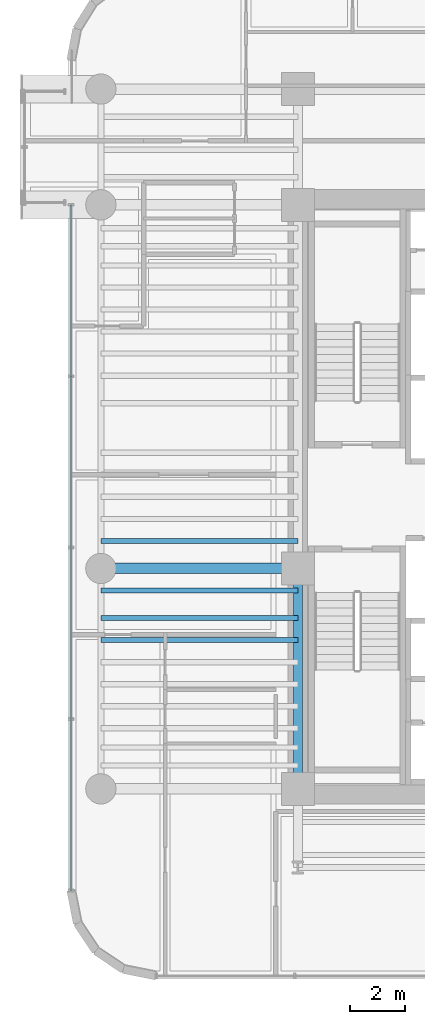
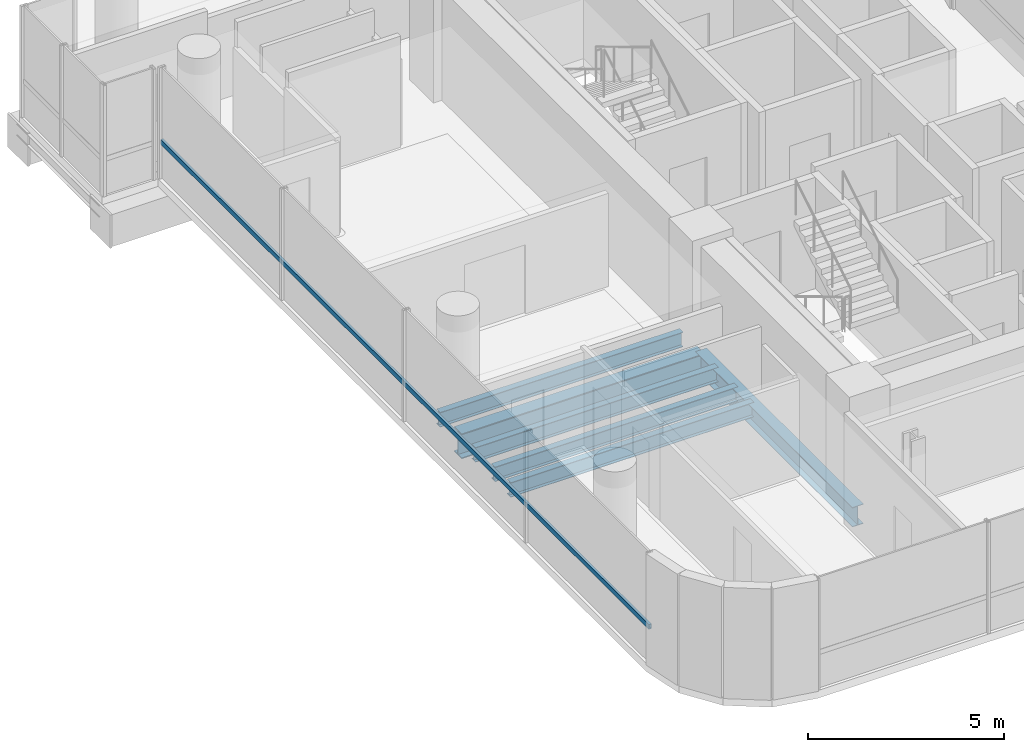
# One storey, part 5 of 35: 6 beams, 1 member, 1 element without a shape of its own.
"""IFC4 building model written with IfcOpenShell, lengths in metres."""

import ifcopenshell
import ifcopenshell.guid

model = None  # the IFC model being written
_history = None  # IfcOwnerHistory: only IFC2X3 demands one
_inside = {}  # id of a spatial element -> (the spatial element, [elements in it])
_under = {}  # id of a project, library or spatial element -> (it, [spatial elements below it])
_declared = {}  # id of a project -> (the project, [libraries it declares])
_typed = {}  # id of a type object -> (the type object, [elements of that type])
_made_of = {}  # id of a material, layer set ... -> (it, [elements and type objects made of it])


def new_model(schema):
    """Start an empty IFC model of exactly this schema.

    Asked for "IFC4X3", IfcOpenShell would pick the latest addendum, in which some entities
    have other attributes; the version numbers below select the first issue.
    IFC2X3 requires an IfcOwnerHistory on every rooted entity: one is made here for all.
    """
    global model, _history
    if schema == "IFC4X3":
        model = ifcopenshell.file(schema_version=(4, 3, 0, 0))
    else:
        model = ifcopenshell.file(schema=schema)
    _inside.clear()
    _under.clear()
    _declared.clear()
    _typed.clear()
    _made_of.clear()
    _history = None
    if model.schema == "IFC2X3":
        org = make("IfcOrganization", Name="unknown")
        user = make(
            "IfcPersonAndOrganization",
            ThePerson=make("IfcPerson", FamilyName="unknown"),
            TheOrganization=org,
        )
        app = make(
            "IfcApplication",
            ApplicationDeveloper=org,
            Version="unknown",
            ApplicationFullName="unknown",
            ApplicationIdentifier="unknown",
        )
        _history = make(
            "IfcOwnerHistory",
            OwningUser=user,
            OwningApplication=app,
            ChangeAction="ADDED",
            CreationDate=0,
        )
    return model


def make(cls, **values):
    """One entity of the class cls with the attributes given. An attribute that is None is left unset."""
    return model.create_entity(
        cls, **{name: value for name, value in values.items() if value is not None}
    )


def rooted(cls, **values):
    """An entity with a GlobalId (a new one), such as an element, a storey or a relation."""
    return make(cls, GlobalId=ifcopenshell.guid.new(), OwnerHistory=_history, **values)


def si_unit(unit_type, name, prefix=None):
    """IfcSIUnit, for example si_unit("LENGTHUNIT", "METRE", prefix="MILLI")."""
    return make("IfcSIUnit", UnitType=unit_type, Prefix=prefix, Name=name)


def assignment(units):
    """IfcUnitAssignment: the units of a project."""
    return None if units is None else make("IfcUnitAssignment", Units=units)


def point(xyz):
    """IfcCartesianPoint."""
    return None if xyz is None else make("IfcCartesianPoint", Coordinates=xyz)


def direction(xyz):
    """IfcDirection."""
    return None if xyz is None else make("IfcDirection", DirectionRatios=xyz)


def frame(location, z_axis=None, x_axis=None):
    """IfcAxis2Placement3D, a coordinate frame: its origin and axes. An axis left out is left unset."""
    return make(
        "IfcAxis2Placement3D",
        Location=point(location),
        Axis=direction(z_axis),
        RefDirection=direction(x_axis),
    )


def frame_2d(location, x_axis=None):
    """IfcAxis2Placement2D, a coordinate frame in the plane: its origin and x axis."""
    return make(
        "IfcAxis2Placement2D", Location=point(location), RefDirection=direction(x_axis)
    )


def origin():
    """The frame at (0, 0, 0) with its axes left unset."""
    return frame((0.0, 0.0, 0.0))


def origin_2d():
    """The frame at (0, 0) in the plane with its x axis left unset."""
    return frame_2d((0.0, 0.0))


def place(relative_to, where):
    """IfcLocalPlacement: puts the frame where relative to a parent placement (None: the world)."""
    return make(
        "IfcLocalPlacement", PlacementRelTo=relative_to, RelativePlacement=where
    )


def context(
    kind, dimensions, precision=None, world=None, true_north=None, identifier=None
):
    """IfcGeometricRepresentationContext, for example the 3D "Model" context."""
    return make(
        "IfcGeometricRepresentationContext",
        ContextIdentifier=identifier,
        ContextType=kind,
        CoordinateSpaceDimension=dimensions,
        Precision=precision,
        WorldCoordinateSystem=world,
        TrueNorth=true_north,
    )


def subcontext(parent, identifier, kind, view, scale=None):
    """IfcGeometricRepresentationSubContext, for example "Body" below "Model"."""
    return make(
        "IfcGeometricRepresentationSubContext",
        ContextIdentifier=identifier,
        ContextType=kind,
        ParentContext=parent,
        TargetScale=scale,
        TargetView=view,
    )


def project(units=None, contexts=None):
    """IfcProject with its units and contexts."""
    return rooted(
        "IfcProject",
        Name="project",
        RepresentationContexts=contexts,
        UnitsInContext=assignment(units),
    )


def spatial(cls, under=None, at=None, **own):
    """A site, building, storey or space (cls), placed at a placement, below another one or the project."""
    s = rooted(cls, ObjectPlacement=at, **own)
    if under is not None:
        _under.setdefault(under.id(), (under, []))[1].append(s)
    return s


def profile(cls, at=None, kind="AREA", **sizes):
    """A parametric profile (cls). Its sizes go by their IFC names, for example OverallWidth=200.0."""
    return make(cls, ProfileType=kind, Position=at, **sizes)


def hollow_rectangle(**sizes):
    """IfcRectangleHollowProfileDef."""
    return profile("IfcRectangleHollowProfileDef", **sizes)


def i_section(**sizes):
    """IfcIShapeProfileDef."""
    return profile("IfcIShapeProfileDef", **sizes)


def extrude(swept, where, along, depth):
    """IfcExtrudedAreaSolid: the profile swept, set in the frame where, extruded along a direction by depth."""
    return make(
        "IfcExtrudedAreaSolid",
        SweptArea=swept,
        Position=where,
        ExtrudedDirection=direction(along),
        Depth=depth,
    )


def shape(context_of_items, identifier, shape_type, items):
    """IfcShapeRepresentation: the items that make up one representation, for example the "Body"."""
    return make(
        "IfcShapeRepresentation",
        ContextOfItems=context_of_items,
        RepresentationIdentifier=identifier,
        RepresentationType=shape_type,
        Items=items,
    )


def source(mapping_origin, context_of_items, identifier, shape_type, items):
    """IfcRepresentationMap: a shape defined once, which mapped items show again and again."""
    return make(
        "IfcRepresentationMap",
        MappingOrigin=mapping_origin,
        MappedRepresentation=shape(context_of_items, identifier, shape_type, items),
    )


def transform(
    local_origin,
    x_axis=None,
    y_axis=None,
    z_axis=None,
    scale=None,
    scale2=None,
    scale3=None,
    uniform=True,
):
    """IfcCartesianTransformationOperator3D, or its non-uniform kind. x_axis, y_axis, z_axis: its Axis1, 2, 3."""
    if uniform:
        return make(
            "IfcCartesianTransformationOperator3D",
            Axis1=direction(x_axis),
            Axis2=direction(y_axis),
            LocalOrigin=point(local_origin),
            Scale=scale,
            Axis3=direction(z_axis),
        )
    return make(
        "IfcCartesianTransformationOperator3DnonUniform",
        Axis1=direction(x_axis),
        Axis2=direction(y_axis),
        LocalOrigin=point(local_origin),
        Scale=scale,
        Axis3=direction(z_axis),
        Scale2=scale2,
        Scale3=scale3,
    )


def mapped(mapping_source, mapping_target):
    """IfcMappedItem: shows the shape of a source again, moved by a transform."""
    return make(
        "IfcMappedItem", MappingSource=mapping_source, MappingTarget=mapping_target
    )


def material(Name=None, Category=None):
    """IfcMaterial."""
    return make("IfcMaterial", Name=Name, Category=Category)


def material_profile(
    of_material, cross_section, Name=None, Category=None, Priority=None
):
    """IfcMaterialProfile: a cross section and its material."""
    return make(
        "IfcMaterialProfile",
        Name=Name,
        Material=of_material,
        Profile=cross_section,
        Priority=Priority,
        Category=Category,
    )


def profile_set(profiles, Name=None, composite=None):
    """IfcMaterialProfileSet."""
    return make(
        "IfcMaterialProfileSet",
        Name=Name,
        MaterialProfiles=profiles,
        CompositeProfile=composite,
    )


def made_of(thing, what):
    """Note that an element or type object is made of a material, layer set ...; save() writes the relation."""
    if what is not None:
        _made_of.setdefault(what.id(), (what, []))[1].append(thing)
    return thing


def type_object(cls, material=None, **own):
    """A type object (cls), such as IfcWallType, which elements share."""
    return made_of(rooted(cls, **own), material)


def element(
    cls,
    number,
    at=None,
    inside=None,
    cuts=None,
    type_object=None,
    material=None,
    context=None,
    identifier="Body",
    shape_type=None,
    held_by="IfcProductDefinitionShape",
    body=None,
    shapes=None,
    **own,
):
    """One element of the class cls, such as IfcWall. Its Tag is "e" and its number.

    at: its placement. inside: the storey or other place that contains it. cuts: it is an
    opening in that element (IfcRelVoidsElement). A single representation is given by context,
    identifier, shape_type and body (its items); several are given by shapes. held_by: the class
    of the entity that holds the representations. save() writes the other relations.
    """
    e = rooted(cls, Tag="e%d" % number, ObjectPlacement=at, **own)
    if body is not None:
        shapes = [shape(context, identifier, shape_type, body)]
    if shapes is not None:
        e.Representation = make(held_by, Representations=shapes)
    if inside is not None:
        _inside.setdefault(inside.id(), (inside, []))[1].append(e)
    if cuts is not None:
        rooted(
            "IfcRelVoidsElement", RelatingBuildingElement=cuts, RelatedOpeningElement=e
        )
    if type_object is not None:
        _typed.setdefault(type_object.id(), (type_object, []))[1].append(e)
    return made_of(e, material)


def aggregate(whole, parts):
    """IfcRelAggregates: a whole, such as a stair, and the parts it consists of."""
    return rooted("IfcRelAggregates", RelatingObject=whole, RelatedObjects=parts)


def save(model, path):
    """Write the relations noted so far, then the file.

    IfcRelAggregates (storeys below a building ...), IfcRelContainedInSpatialStructure (elements
    in a storey), IfcRelDefinesByType, IfcRelAssociatesMaterial and IfcRelDeclares: one each for
    every whole, place, type object, material and project.
    """
    for whole, parts in _under.values():
        aggregate(whole, parts)
    for where, things in _inside.values():
        rooted(
            "IfcRelContainedInSpatialStructure",
            RelatedElements=things,
            RelatingStructure=where,
        )
    for kind, things in _typed.values():
        rooted("IfcRelDefinesByType", RelatedObjects=things, RelatingType=kind)
    for what, things in _made_of.values():
        rooted("IfcRelAssociatesMaterial", RelatedObjects=things, RelatingMaterial=what)
    for by, libraries in _declared.values():
        rooted("IfcRelDeclares", RelatingContext=by, RelatedDefinitions=libraries)
    model.write(path)


model = new_model("IFC4")

# Units and contexts
model_context = context("Model", 3, precision=1e-05, world=origin(), true_north=direction((0.0, 1.0)))
body_context = subcontext(model_context, "Body", "Model", "MODEL_VIEW")
ifc_project = project(units=[si_unit("LENGTHUNIT", "METRE"), si_unit("AREAUNIT", "SQUARE_METRE"), si_unit("VOLUMEUNIT", "CUBIC_METRE"), si_unit("PLANEANGLEUNIT", "RADIAN"), si_unit("MASSUNIT", "GRAM", prefix="KILO")], contexts=[model_context])

# Site, building, storey
site_placement = place(None, origin())
site = spatial("IfcSite", under=ifc_project, at=site_placement, CompositionType="ELEMENT")
building_placement = place(site_placement, origin())
building = spatial("IfcBuilding", under=site, at=building_placement, Name="Valdorenza Pilgrim Sanctuary Tower", CompositionType="ELEMENT")
storey_placement = place(building_placement, frame((0.0, 0.0, 150.10009765625)))
storey = spatial("IfcBuildingStorey", under=building, at=storey_placement, Name="L38", CompositionType="ELEMENT", Elevation=150.10009765625)

# Beams
ifc_material_1 = material(Name="Steel ASTM A992 Grade 50", Category="steel")
ifc_material_profile_1 = material_profile(ifc_material_1, i_section(OverallWidth=0.323974609375, OverallDepth=0.611083984375, WebThickness=0.0126953125, FlangeThickness=0.01904296875, at=origin_2d()), Name="W24X104")
ifc_profile_set_1 = profile_set([ifc_material_profile_1], Name="Steel ASTM A992 Grade 50")
beam_type_1 = type_object("IfcBeamType", Name="STR-BM-GRD-W24B", PredefinedType="BEAM", material=ifc_profile_set_1)
shared_shape_1 = source(origin(), body_context, "Body", "SweptSolid", [
    extrude(i_section(OverallWidth=0.323974609375, OverallDepth=0.611083984375, WebThickness=0.0126953125, FlangeThickness=0.01904296875, at=origin_2d()), origin(), (0.0, 0.0, 1.0), 8.0),
])
beam_1_placement = place(storey_placement, frame((-22.64990234375, -10.60009765625, -0.545654296875), z_axis=(0.0, 1.0, 0.0), x_axis=(-1.0, 0.0, 0.0)))
element("IfcBeam", 1, at=beam_1_placement, inside=storey, type_object=beam_type_1, Name="L38 Core Tie Girder CA-W-S1M0", PredefinedType="BEAM", context=body_context, shape_type="MappedRepresentation", body=[
    mapped(shared_shape_1, transform((0.0, 0.0, 0.0), x_axis=(1.0, 0.0, 0.0), y_axis=(0.0, 1.0, 0.0), z_axis=(0.0, 0.0, 1.0), scale=1.0)),
])
ifc_material_profile_2 = material_profile(ifc_material_1, i_section(OverallWidth=0.382080078125, OverallDepth=0.779052734375, WebThickness=0.01806640625, FlangeThickness=0.030029296875, at=origin_2d()), Name="W30X191")
ifc_profile_set_2 = profile_set([ifc_material_profile_2], Name="Steel ASTM A992 Grade 50")
beam_type_2 = type_object("IfcBeamType", Name="STR-BM-GRD-W30", PredefinedType="BEAM", material=ifc_profile_set_2)
shared_shape_2 = source(origin(), body_context, "Body", "SweptSolid", [
    extrude(i_section(OverallWidth=0.382080078125, OverallDepth=0.779052734375, WebThickness=0.01806640625, FlangeThickness=0.030029296875, at=origin_2d()), origin(), (0.0, 0.0, 1.0), 7.150146484375),
])
beam_2_placement = place(storey_placement, frame((-29.800048828125, -2.60009765625, -0.629638671875), z_axis=(1.0, 0.0, 0.0), x_axis=(0.0, 1.0, 0.0)))
element("IfcBeam", 2, at=beam_2_placement, inside=storey, type_object=beam_type_2, Name="L38 Floor Girder WA-XW-M0", PredefinedType="BEAM", context=body_context, shape_type="MappedRepresentation", body=[
    mapped(shared_shape_2, transform((0.0, 0.0, 0.0), x_axis=(1.0, 0.0, 0.0), y_axis=(0.0, 1.0, 0.0), z_axis=(0.0, 0.0, 1.0), scale=1.0)),
])
ifc_material_profile_3 = material_profile(ifc_material_1, i_section(OverallWidth=0.19091796875, OverallDepth=0.45703125, WebThickness=0.009033203125, FlangeThickness=0.014404296875, at=origin_2d()), Name="W18X50")
ifc_profile_set_3 = profile_set([ifc_material_profile_3], Name="Steel ASTM A992 Grade 50")
beam_type_3 = type_object("IfcBeamType", Name="STR-BM-JST-W18B", PredefinedType="JOIST", material=ifc_profile_set_3)
shared_shape_3 = source(origin(), body_context, "Body", "SweptSolid", [
    extrude(i_section(OverallWidth=0.19091796875, OverallDepth=0.45703125, WebThickness=0.009033203125, FlangeThickness=0.014404296875, at=origin_2d()), origin(), (0.0, 0.0, 1.0), 7.150146484375),
])
for number, where, z_axis, x_axis, name in (
    (3, (-29.800048828125, -5.199951171875, -0.468505859375), (1.0, 0.0, 0.0), (0.0, 1.0, 0.0), "L38 Composite Floor Joist JST-WA-7"),
    (4, (-29.800048828125, -4.39990234375, -0.468505859375), (1.0, 0.0, 0.0), (0.0, 1.0, 0.0), "L38 Composite Floor Joist JST-WA-8"),
    (5, (-29.800048828125, -3.39990234375, -0.468505859375), (1.0, 0.0, 0.0), (0.0, 1.0, 0.0), "L38 Composite Floor Joist JST-WA-9"),
    (6, (-29.800048828125, -1.60009765625, -0.468505859375), (1.0, 0.0, 0.0), (0.0, 1.0, 0.0), "L38 Composite Floor Joist JST-WA-10"),
):
    element("IfcBeam", number, at=place(storey_placement, frame(where, z_axis=z_axis, x_axis=x_axis)), inside=storey, type_object=beam_type_3, Name=name, PredefinedType="JOIST", context=body_context, shape_type="MappedRepresentation", body=[
        mapped(shared_shape_3, transform((0.0, 0.0, 0.0), x_axis=(1.0, 0.0, 0.0), y_axis=(0.0, 1.0, 0.0), z_axis=(0.0, 0.0, 1.0), scale=1.0)),
    ])

# Curtain wall, member
ifc_material_2 = material(Name="Curtain-wall IGU glazing", Category="glass")
curtain_wall_type = type_object("IfcCurtainWallType", Name="CW-SYS-02", PredefinedType="NOTDEFINED", material=ifc_material_2)
curtain_wall_placement = place(storey_placement, origin())
curtain_wall = element("IfcCurtainWall", 7, at=curtain_wall_placement, inside=storey, type_object=curtain_wall_type, Name="L38 Curtain Wall CW-L38-1-1S1", PredefinedType="NOTDEFINED")
ifc_material_3 = material(Name="Anodised aluminium AW-6060", Category="aluminium")
ifc_material_profile_4 = material_profile(ifc_material_3, hollow_rectangle(XDim=0.074951171875, YDim=0.14990234375, WallThickness=0.00390625, at=origin_2d()), Name="ALU-T 150x75x4")
ifc_profile_set_4 = profile_set([ifc_material_profile_4], Name="Anodised aluminium AW-6060")
member_type = type_object("IfcMemberType", Name="CW-TRN-02", PredefinedType="USERDEFINED", material=ifc_profile_set_4)
shared_shape_4 = source(origin(), body_context, "Body", "SweptSolid", [
    extrude(hollow_rectangle(XDim=0.074951171875, YDim=0.14990234375, WallThickness=0.00390625, at=origin_2d()), origin(), (0.0, 0.0, 1.0), 24.889404296875),
])
member_placement = place(storey_placement, frame((-30.889892578125, -14.289306640625, 1.119873046875), z_axis=(0.0, 1.0, 0.0), x_axis=(-1.0, 0.0, 0.0)))
member = element("IfcMember", 8, at=member_placement, type_object=member_type, Name="CW-L38-1-1S1 Transom 1", ObjectType="TRANSOM", PredefinedType="USERDEFINED", context=body_context, shape_type="MappedRepresentation", body=[
    mapped(shared_shape_4, transform((0.0, 0.0, 0.0), x_axis=(1.0, 0.0, 0.0), y_axis=(0.0, 1.0, 0.0), z_axis=(0.0, 0.0, 1.0), scale=1.0)),
])
aggregate(curtain_wall, [member])

save(model, "model.ifc")
